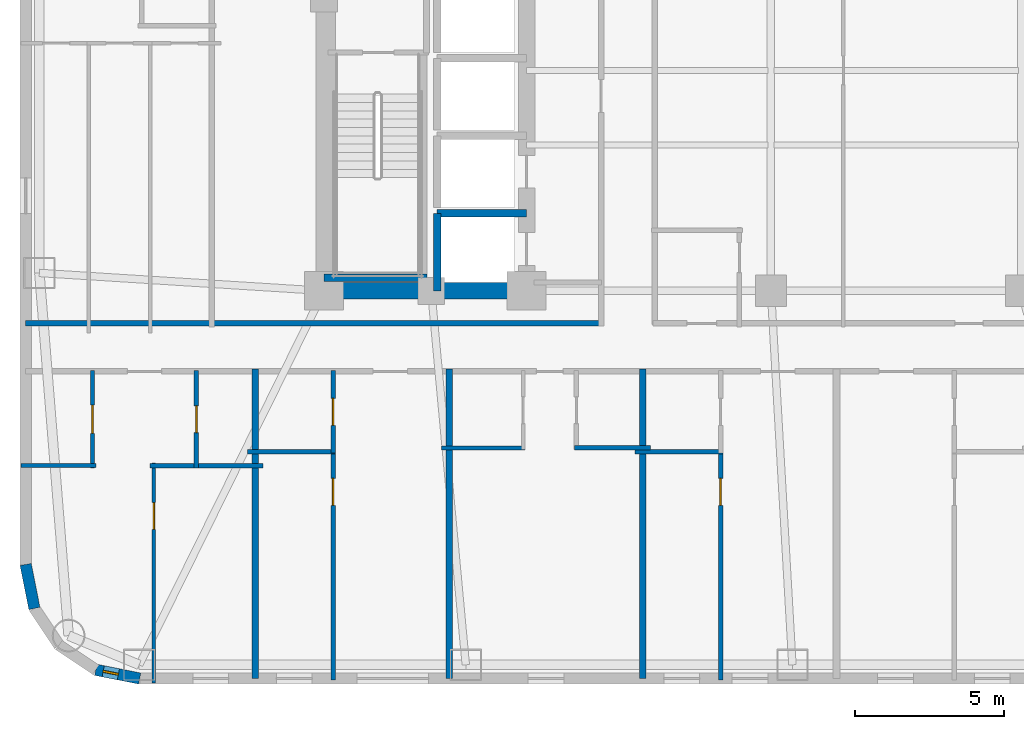
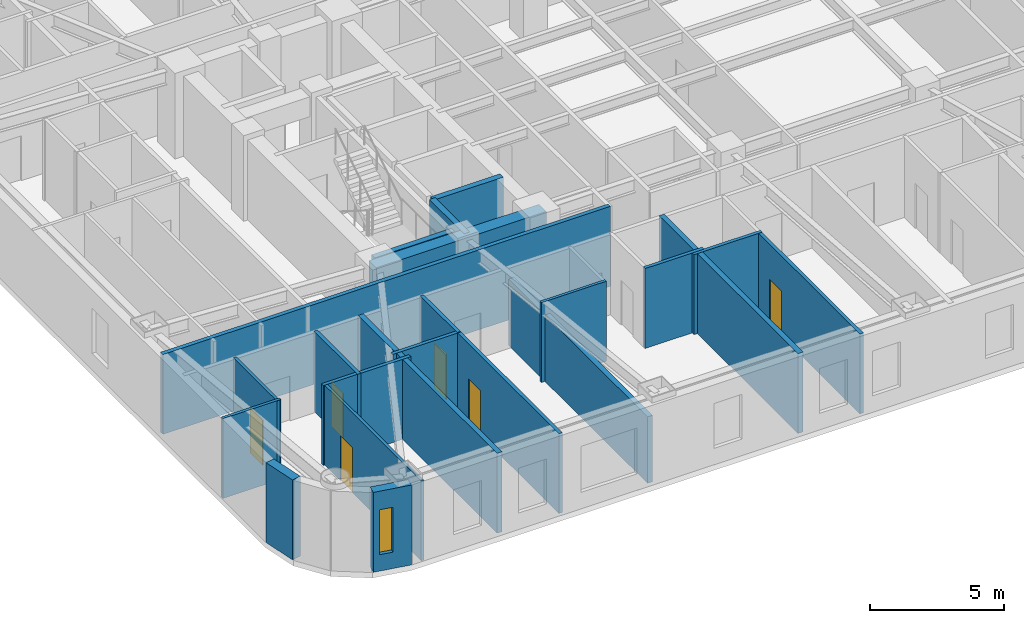
# One storey, part 3 of 12: 22 walls, 6 doors, 1 window, 7 openings.
"""IFC4 building model written with IfcOpenShell, lengths in metres."""

from ifc_helpers import new_model, si_unit, direction, frame, frame_2d, origin, place, context, subcontext, project, spatial, rectangle, extrude, material, layer, layer_set, type_object, element, fill, save


model = new_model("IFC4")

# Units and contexts
model_context = context("Model", 3, precision=1e-05, world=origin(), true_north=direction((0.0, 1.0)))
body_context = subcontext(model_context, "Body", "Model", "MODEL_VIEW")
ifc_project = project(units=[si_unit("LENGTHUNIT", "METRE"), si_unit("AREAUNIT", "SQUARE_METRE"), si_unit("VOLUMEUNIT", "CUBIC_METRE"), si_unit("PLANEANGLEUNIT", "RADIAN"), si_unit("MASSUNIT", "GRAM", prefix="KILO")], contexts=[model_context])

# Site, building, storey
site_placement = place(None, origin())
site = spatial("IfcSite", under=ifc_project, at=site_placement, CompositionType="ELEMENT")
building_placement = place(site_placement, origin())
building = spatial("IfcBuilding", under=site, at=building_placement, Name="Voryun Gate Residences", CompositionType="ELEMENT")
storey_placement = place(building_placement, frame((0.0, 0.0, 128.699951171875)))
storey = spatial("IfcBuildingStorey", under=building, at=storey_placement, Name="L31", CompositionType="ELEMENT", Elevation=128.699951171875)

# Walls
ifc_material_1 = material(Name="Concrete C60/75", Category="concrete")
ifc_layer_1 = layer(ifc_material_1, 0.550048828125, Name="CW_CORE_550")
ifc_layer_set_1 = layer_set([ifc_layer_1], Name="Concrete C60/75")
wall_type_1 = type_object("IfcWallType", Name="CW_CORE_550", PredefinedType="SHEAR", material=ifc_layer_set_1)
wall_1_placement = place(storey_placement, frame((-19.47509765625, -7.39990234375, 0.0), z_axis=(0.0, 0.0, 1.0), x_axis=(1.0, 0.0, 0.0)))
element("IfcWall", 1, at=wall_1_placement, inside=storey, type_object=wall_type_1, Name="L31 Core shear wall CW-L31-WS", PredefinedType="SHEAR", context=body_context, shape_type="SweptSolid", body=[
    extrude(rectangle(XDim=7.35009765625, YDim=0.550048828125, at=frame_2d((3.675048828125, 0.0))), origin(), (0.0, 0.0, 1.0), 3.650146484375),
])
ifc_material_2 = material(Name="Gypsum acoustic fireboard")
ifc_layer_2 = layer(ifc_material_2, 0.179931640625, Name="W_CORR_RATED_180")
ifc_layer_set_2 = layer_set([ifc_layer_2], Name="Gypsum acoustic fireboard")
wall_type_2 = type_object("IfcWallType", Name="W_CORR_RATED_180", PredefinedType="PARTITIONING", material=ifc_layer_set_2)
wall_2_placement = place(storey_placement, frame((-29.2099609375, -8.489990234375, 0.0), z_axis=(0.0, 0.0, 1.0), x_axis=(1.0, 0.0, 0.0)))
element("IfcWall", 2, at=wall_2_placement, inside=storey, type_object=wall_type_2, Name="Partition wall WP-L31-CWING-WS", PredefinedType="PARTITIONING", context=body_context, shape_type="SweptSolid", body=[
    extrude(rectangle(XDim=19.330078125, YDim=0.179931640625, at=frame_2d((9.6650390625, 0.0))), origin(), (0.0, 0.0, 1.0), 3.650146484375),
])

# Wall, opening, window
ifc_material_3 = material(Name="Granite masonry", Category="masonry")
ifc_layer_3 = layer(ifc_material_3, 0.3798828125, Name="W_EXT_GRANITE_380")
ifc_layer_set_3 = layer_set([ifc_layer_3], Name="Granite masonry")
wall_type_3 = type_object("IfcWallType", Name="W_EXT_GRANITE_380", PredefinedType="ELEMENTEDWALL", material=ifc_layer_set_3)
wall_3_placement = place(storey_placement, frame((-25.38134765625, -20.409912109375, 0.0), z_axis=(0.0, 0.0, 1.0), x_axis=(-0.980786132421, 0.195086038585, 0.0)))
wall_3 = element("IfcWall", 3, at=wall_3_placement, inside=storey, type_object=wall_type_3, Name="Exterior wall WEXT-L31-02", PredefinedType="ELEMENTEDWALL", context=body_context, shape_type="SweptSolid", body=[
    extrude(rectangle(XDim=1.504150390625, YDim=0.3798828125, at=frame_2d((0.751953125, 0.0))), origin(), (0.0, 0.0, 1.0), 3.650146484375),
])
opening_1_placement = place(wall_3_placement, frame((0.732177734375, 0.0, 0.75)))
opening_1 = element("IfcOpeningElement", 4, at=opening_1_placement, cuts=wall_3, Name="Opening WN10", PredefinedType="OPENING", context=body_context, shape_type="SweptSolid", body=[
    extrude(rectangle(XDim=0.52001953125, YDim=2.050048828125, at=frame_2d((0.260009765625, 1.02490234375))), frame((0.0, 0.199951171875, 0.0), z_axis=(0.0, -1.0, 0.0), x_axis=(1.0, 0.0, 0.0)), (0.0, 0.0, 1.0), 0.39990234375),
])
ifc_material_4 = material(Name="Laminated low-E glass", Category="glass")
window_type = type_object("IfcWindowType", Name="WN_PAGODA_LANCET_520", PartitioningType="SINGLE_PANEL", PredefinedType="WINDOW", material=ifc_material_4)
window_placement = place(opening_1_placement, origin())
window = element("IfcWindow", 5, at=window_placement, inside=storey, type_object=window_type, Name="Window WN-L31-DWFIX-14", OverallHeight=2.050048828125, OverallWidth=0.52001953125, PartitioningType="SINGLE_PANEL", PredefinedType="WINDOW", context=body_context, shape_type="SweptSolid", body=[
    extrude(rectangle(XDim=0.52001953125, YDim=2.050048828125, at=frame_2d((0.260009765625, 1.02490234375))), frame((0.0, 0.030029296875, 0.0), z_axis=(0.0, -1.0, 0.0), x_axis=(1.0, 0.0, 0.0)), (0.0, 0.0, 1.0), 0.06005859375),
])
fill(opening_1, window)

# Walls
wall_4_placement = place(storey_placement, frame((-28.91650390625, -18.056640625, 0.0), z_axis=(0.0, 0.0, 1.0), x_axis=(-0.195086038585, 0.980786132421, 0.0)))
element("IfcWall", 6, at=wall_4_placement, inside=storey, type_object=wall_type_3, Name="Exterior wall WEXT-L31-05", PredefinedType="ELEMENTEDWALL", context=body_context, shape_type="SweptSolid", body=[
    extrude(rectangle(XDim=1.504150390625, YDim=0.3798828125, at=frame_2d((0.751953125, 0.0))), origin(), (0.0, 0.0, 1.0), 3.650146484375),
])
ifc_material_5 = material(Name="Concrete C40/50", Category="concrete")
ifc_layer_4 = layer(ifc_material_5, 0.219970703125, Name="W_PARTY_ACOUSTIC_220")
ifc_layer_set_4 = layer_set([ifc_layer_4], Name="Concrete C40/50")
wall_type_4 = type_object("IfcWallType", Name="W_PARTY_ACOUSTIC_220", PredefinedType="PARTITIONING", material=ifc_layer_set_4)
wall_5_placement = place(storey_placement, frame((-21.5, -20.409912109375, 0.0), z_axis=(0.0, 0.0, 1.0), x_axis=(0.0, 1.0, 0.0)))
element("IfcWall", 7, at=wall_5_placement, inside=storey, type_object=wall_type_4, Name="Partition wall WP-L31-SPTY-1", PredefinedType="PARTITIONING", context=body_context, shape_type="SweptSolid", body=[
    extrude(rectangle(XDim=10.389892578125, YDim=0.219970703125, at=frame_2d((5.19482421875, 0.0))), origin(), (0.0, 0.0, 1.0), 3.650146484375),
])
wall_6_placement = place(storey_placement, frame((-15.0, -20.409912109375, 0.0), z_axis=(0.0, 0.0, 1.0), x_axis=(0.0, 1.0, 0.0)))
element("IfcWall", 8, at=wall_6_placement, inside=storey, type_object=wall_type_4, Name="Partition wall WP-L31-SPTY-2", PredefinedType="PARTITIONING", context=body_context, shape_type="SweptSolid", body=[
    extrude(rectangle(XDim=10.389892578125, YDim=0.219970703125, at=frame_2d((5.19482421875, 0.0))), origin(), (0.0, 0.0, 1.0), 3.0400390625),
])
wall_7_placement = place(storey_placement, frame((-8.5, -20.409912109375, 0.0), z_axis=(0.0, 0.0, 1.0), x_axis=(0.0, 1.0, 0.0)))
element("IfcWall", 9, at=wall_7_placement, inside=storey, type_object=wall_type_4, Name="Partition wall WP-L31-SPTY-3", PredefinedType="PARTITIONING", context=body_context, shape_type="SweptSolid", body=[
    extrude(rectangle(XDim=10.389892578125, YDim=0.219970703125, at=frame_2d((5.19482421875, 0.0))), origin(), (0.0, 0.0, 1.0), 3.650146484375),
])
ifc_material_6 = material(Name="Concrete C50/60", Category="concrete")
ifc_layer_5 = layer(ifc_material_6, 0.25, Name="W_SHAFT_RC250")
ifc_layer_set_5 = layer_set([ifc_layer_5], Name="Concrete C50/60")
wall_type_5 = type_object("IfcWallType", Name="W_SHAFT_RC250", PredefinedType="SOLIDWALL", material=ifc_layer_set_5)
wall_8_placement = place(storey_placement, frame((-19.199951171875, -6.965087890625, 0.0), z_axis=(0.0, 0.0, 1.0), x_axis=(1.0, 0.0, 0.0)))
element("IfcWall", 10, at=wall_8_placement, inside=storey, type_object=wall_type_5, Name="L31 Stair shaft structural wall W-STS", PredefinedType="SOLIDWALL", context=body_context, shape_type="SweptSolid", body=[
    extrude(rectangle(XDim=3.4599609375, YDim=0.25, at=frame_2d((1.72998046875, 0.0))), origin(), (0.0, 0.0, 1.0), 3.650146484375),
])
wall_9_placement = place(storey_placement, frame((-12.39990234375, -4.800048828125, 0.0), z_axis=(0.0, 0.0, 1.0), x_axis=(-1.0, 0.0, 0.0)))
element("IfcWall", 11, at=wall_9_placement, inside=storey, type_object=wall_type_5, Name="Lift shaft wall WSH-L31-EL-P1-N", PredefinedType="SOLIDWALL", context=body_context, shape_type="SweptSolid", body=[
    extrude(rectangle(XDim=3.0, YDim=0.25, at=frame_2d((1.5, 0.0))), origin(), (0.0, 0.0, 1.0), 3.650146484375),
])
wall_10_placement = place(storey_placement, frame((-15.39990234375, -4.800048828125, 0.0), z_axis=(0.0, 0.0, 1.0), x_axis=(0.0, -1.0, 0.0)))
element("IfcWall", 12, at=wall_10_placement, inside=storey, type_object=wall_type_5, Name="Lift shaft wall WSH-L31-EL-P1-W", PredefinedType="SOLIDWALL", context=body_context, shape_type="SweptSolid", body=[
    extrude(rectangle(XDim=2.599853515625, YDim=0.25, at=frame_2d((1.2998046875, 0.0))), origin(), (0.0, 0.0, 1.0), 3.650146484375),
])

# Wall, opening, door
ifc_material_7 = material(Name="Gypsum acoustic partition")
ifc_layer_6 = layer(ifc_material_7, 0.125, Name="W_UNIT_PART_125")
ifc_layer_set_6 = layer_set([ifc_layer_6], Name="Gypsum acoustic partition")
wall_type_6 = type_object("IfcWallType", Name="W_UNIT_PART_125", PredefinedType="PARTITIONING", material=ifc_layer_set_6)
wall_11_placement = place(storey_placement, frame((-24.909912109375, -20.56005859375, 0.0), z_axis=(0.0, 0.0, 1.0), x_axis=(0.0, 1.0, 0.0)))
wall_11 = element("IfcWall", 13, at=wall_11_placement, inside=storey, type_object=wall_type_6, Name="Partition wall WP-L31-S1-OVR", PredefinedType="PARTITIONING", context=body_context, shape_type="SweptSolid", body=[
    extrude(rectangle(XDim=7.379150390625, YDim=0.125, at=frame_2d((3.689453125, 0.0))), origin(), (0.0, 0.0, 1.0), 3.650146484375),
])
opening_2_placement = place(wall_11_placement, frame((5.157958984375, 0.0, 0.0)))
opening_2 = element("IfcOpeningElement", 14, at=opening_2_placement, cuts=wall_11, Name="Opening D-INT-2", PredefinedType="OPENING", context=body_context, shape_type="SweptSolid", body=[
    extrude(rectangle(XDim=0.89990234375, YDim=2.050048828125, at=frame_2d((0.449951171875, 1.02490234375))), frame((0.0, 0.072509765625, 0.0), z_axis=(0.0, -1.0, 0.0), x_axis=(1.0, 0.0, 0.0)), (0.0, 0.0, 1.0), 0.14501953125),
])
ifc_material_8 = material(Name="Architectural oak veneer")
door_type_1 = type_object("IfcDoorType", Name="DR_INT_BATH_900", OperationType="NOTDEFINED", PredefinedType="DOOR", material=ifc_material_8)
door_1_placement = place(opening_2_placement, origin())
door_1 = element("IfcDoor", 15, at=door_1_placement, inside=storey, type_object=door_type_1, Name="Door DR-L31-S1-DMB", OperationType="SINGLE_SWING_RIGHT", OverallHeight=2.050048828125, OverallWidth=0.89990234375, PredefinedType="DOOR", context=body_context, shape_type="SweptSolid", body=[
    extrude(rectangle(XDim=0.89990234375, YDim=2.050048828125, at=frame_2d((0.449951171875, 1.02490234375))), frame((0.0, 0.02490234375, 0.0), z_axis=(0.0, -1.0, 0.0), x_axis=(1.0, 0.0, 0.0)), (0.0, 0.0, 1.0), 0.050048828125),
])
fill(opening_2, door_1)

wall_12_placement = place(storey_placement, frame((-26.968017578125, -13.341064453125, 0.0), z_axis=(0.0, 0.0, 1.0), x_axis=(0.0, 1.0, 0.0)))
wall_12 = element("IfcWall", 16, at=wall_12_placement, inside=storey, type_object=wall_type_6, Name="Partition wall WP-L31-S1-IVK", PredefinedType="PARTITIONING", context=body_context, shape_type="SweptSolid", body=[
    extrude(rectangle(XDim=3.260986328125, YDim=0.125, at=frame_2d((1.63037109375, 0.0))), origin(), (0.0, 0.0, 1.0), 3.650146484375),
])
opening_3_placement = place(wall_12_placement, frame((1.155517578125, 0.0, 0.0)))
opening_3 = element("IfcOpeningElement", 17, at=opening_3_placement, cuts=wall_12, Name="Opening D-INT-1", PredefinedType="OPENING", context=body_context, shape_type="SweptSolid", body=[
    extrude(rectangle(XDim=0.949951171875, YDim=2.050048828125, at=frame_2d((0.47509765625, 1.02490234375))), frame((0.0, 0.072509765625, 0.0), z_axis=(0.0, -1.0, 0.0), x_axis=(1.0, 0.0, 0.0)), (0.0, 0.0, 1.0), 0.14501953125),
])
ifc_material_9 = material(Name="Architectural oak veneer")
door_type_2 = type_object("IfcDoorType", Name="DR_INT_ROOM_950", OperationType="NOTDEFINED", PredefinedType="DOOR", material=ifc_material_9)
door_2_placement = place(opening_3_placement, origin())
door_2 = element("IfcDoor", 18, at=door_2_placement, inside=storey, type_object=door_type_2, Name="Door DR-L31-S1-DK", OperationType="SINGLE_SWING_LEFT", OverallHeight=2.050048828125, OverallWidth=0.949951171875, PredefinedType="DOOR", context=body_context, shape_type="SweptSolid", body=[
    extrude(rectangle(XDim=0.949951171875, YDim=2.050048828125, at=frame_2d((0.47509765625, 1.02490234375))), frame((0.0, 0.02490234375, 0.0), z_axis=(0.0, -1.0, 0.0), x_axis=(1.0, 0.0, 0.0)), (0.0, 0.0, 1.0), 0.050048828125),
])
fill(opening_3, door_2)

# Walls
wall_13_placement = place(storey_placement, frame((-29.360107421875, -13.260986328125, 0.0), z_axis=(0.0, 0.0, 1.0), x_axis=(1.0, 0.0, 0.0)))
element("IfcWall", 19, at=wall_13_placement, inside=storey, type_object=wall_type_6, Name="Partition wall WP-L31-S1-HZK", PredefinedType="PARTITIONING", context=body_context, shape_type="SweptSolid", body=[
    extrude(rectangle(XDim=2.51220703125, YDim=0.125, at=frame_2d((1.256103515625, 0.0))), origin(), (0.0, 0.0, 1.0), 3.650146484375),
])
wall_14_placement = place(storey_placement, frame((-15.260009765625, -12.669921875, 0.0), z_axis=(0.0, 0.0, 1.0), x_axis=(1.0, 0.0, 0.0)))
element("IfcWall", 20, at=wall_14_placement, inside=storey, type_object=wall_type_6, Name="Partition wall WP-L31-S3-CHK", PredefinedType="PARTITIONING", context=body_context, shape_type="SweptSolid", body=[
    extrude(rectangle(XDim=2.803955078125, YDim=0.125, at=frame_2d((1.40185546875, 0.0))), origin(), (0.0, 0.0, 1.0), 3.650146484375),
])
ifc_material_10 = material(Name="Gypsum moisture-resistant partition")
ifc_layer_7 = layer(ifc_material_10, 0.14990234375, Name="W_WET_PLUMB_150")
ifc_layer_set_7 = layer_set([ifc_layer_7], Name="Gypsum moisture-resistant partition")
wall_type_7 = type_object("IfcWallType", Name="W_WET_PLUMB_150", PredefinedType="PLUMBINGWALL", material=ifc_layer_set_7)
wall_15_placement = place(storey_placement, frame((-25.030029296875, -13.260986328125, 0.0), z_axis=(0.0, 0.0, 1.0), x_axis=(1.0, 0.0, 0.0)))
element("IfcWall", 21, at=wall_15_placement, inside=storey, type_object=wall_type_7, Name="Partition wall WP-L31-S1-HZB", PredefinedType="PLUMBINGWALL", context=body_context, shape_type="SweptSolid", body=[
    extrude(rectangle(XDim=3.7900390625, YDim=0.14990234375, at=frame_2d((1.89501953125, 0.0))), origin(), (0.0, 0.0, 1.0), 3.650146484375),
])

# Wall, opening, door
wall_16_placement = place(storey_placement, frame((-23.47998046875, -13.341064453125, 0.0), z_axis=(0.0, 0.0, 1.0), x_axis=(0.0, 1.0, 0.0)))
wall_16 = element("IfcWall", 22, at=wall_16_placement, inside=storey, type_object=wall_type_7, Name="Partition wall WP-L31-S1-IVB", PredefinedType="PLUMBINGWALL", context=body_context, shape_type="SweptSolid", body=[
    extrude(rectangle(XDim=3.260986328125, YDim=0.14990234375, at=frame_2d((1.63037109375, 0.0))), origin(), (0.0, 0.0, 1.0), 3.650146484375),
])
opening_4_placement = place(wall_16_placement, frame((1.180419921875, 0.0, 0.0)))
opening_4 = element("IfcOpeningElement", 23, at=opening_4_placement, cuts=wall_16, Name="Opening D-INT-2", PredefinedType="OPENING", context=body_context, shape_type="SweptSolid", body=[
    extrude(rectangle(XDim=0.89990234375, YDim=2.050048828125, at=frame_2d((0.449951171875, 1.02490234375))), frame((0.0, 0.0849609375, 0.0), z_axis=(0.0, -1.0, 0.0), x_axis=(1.0, 0.0, 0.0)), (0.0, 0.0, 1.0), 0.169921875),
])
door_3_placement = place(opening_4_placement, origin())
door_3 = element("IfcDoor", 24, at=door_3_placement, inside=storey, type_object=door_type_1, Name="Door DR-L31-S1-DB", OperationType="SINGLE_SWING_RIGHT", OverallHeight=2.050048828125, OverallWidth=0.89990234375, PredefinedType="DOOR", context=body_context, shape_type="SweptSolid", body=[
    extrude(rectangle(XDim=0.89990234375, YDim=2.050048828125, at=frame_2d((0.449951171875, 1.02490234375))), frame((0.0, 0.02490234375, 0.0), z_axis=(0.0, -1.0, 0.0), x_axis=(1.0, 0.0, 0.0)), (0.0, 0.0, 1.0), 0.050048828125),
])
fill(opening_4, door_3)

# Wall
wall_17_placement = place(storey_placement, frame((-21.760009765625, -12.800048828125, 0.0), z_axis=(0.0, 0.0, 1.0), x_axis=(1.0, 0.0, 0.0)))
element("IfcWall", 25, at=wall_17_placement, inside=storey, type_object=wall_type_7, Name="Partition wall WP-L31-S2-SKB", PredefinedType="PLUMBINGWALL", context=body_context, shape_type="SweptSolid", body=[
    extrude(rectangle(XDim=2.949951171875, YDim=0.14990234375, at=frame_2d((1.47509765625, 0.0))), origin(), (0.0, 0.0, 1.0), 3.650146484375),
])

# Wall, opening, door
wall_18_placement = place(storey_placement, frame((-18.889892578125, -20.45751953125, 0.0), z_axis=(0.0, 0.0, 1.0), x_axis=(0.0, 1.0, 0.0)))
wall_18 = element("IfcWall", 26, at=wall_18_placement, inside=storey, type_object=wall_type_7, Name="Partition wall WP-L31-S2-SVT1", PredefinedType="PLUMBINGWALL", context=body_context, shape_type="SweptSolid", body=[
    extrude(rectangle(XDim=7.697509765625, YDim=0.14990234375, at=frame_2d((3.8486328125, 0.0))), origin(), (0.0, 0.0, 1.0), 3.650146484375),
])
opening_5_placement = place(wall_18_placement, frame((5.862060546875, 0.0, 0.0)))
opening_5 = element("IfcOpeningElement", 27, at=opening_5_placement, cuts=wall_18, Name="Opening D-INT-2", PredefinedType="OPENING", context=body_context, shape_type="SweptSolid", body=[
    extrude(rectangle(XDim=0.89990234375, YDim=2.050048828125, at=frame_2d((0.449951171875, 1.02490234375))), frame((0.0, 0.0849609375, 0.0), z_axis=(0.0, -1.0, 0.0), x_axis=(1.0, 0.0, 0.0)), (0.0, 0.0, 1.0), 0.169921875),
])
door_4_placement = place(opening_5_placement, origin())
door_4 = element("IfcDoor", 28, at=door_4_placement, inside=storey, type_object=door_type_1, Name="Door DR-L31-S2-DK", OperationType="SINGLE_SWING_LEFT", OverallHeight=2.050048828125, OverallWidth=0.89990234375, PredefinedType="DOOR", context=body_context, shape_type="SweptSolid", body=[
    extrude(rectangle(XDim=0.89990234375, YDim=2.050048828125, at=frame_2d((0.449951171875, 1.02490234375))), frame((0.0, 0.02490234375, 0.0), z_axis=(0.0, -1.0, 0.0), x_axis=(1.0, 0.0, 0.0)), (0.0, 0.0, 1.0), 0.050048828125),
])
fill(opening_5, door_4)

wall_19_placement = place(storey_placement, frame((-18.889892578125, -12.840087890625, 0.0), z_axis=(0.0, 0.0, 1.0), x_axis=(0.0, 1.0, 0.0)))
wall_19 = element("IfcWall", 29, at=wall_19_placement, inside=storey, type_object=wall_type_7, Name="Partition wall WP-L31-S2-SVT2", PredefinedType="PLUMBINGWALL", context=body_context, shape_type="SweptSolid", body=[
    extrude(rectangle(XDim=2.760009765625, YDim=0.14990234375, at=frame_2d((1.3798828125, 0.0))), origin(), (0.0, 0.0, 1.0), 3.650146484375),
])
opening_6_placement = place(wall_19_placement, frame((0.929931640625, 0.0, 0.0)))
opening_6 = element("IfcOpeningElement", 30, at=opening_6_placement, cuts=wall_19, Name="Opening D-INT-2", PredefinedType="OPENING", context=body_context, shape_type="SweptSolid", body=[
    extrude(rectangle(XDim=0.89990234375, YDim=2.050048828125, at=frame_2d((0.449951171875, 1.02490234375))), frame((0.0, 0.0849609375, 0.0), z_axis=(0.0, -1.0, 0.0), x_axis=(1.0, 0.0, 0.0)), (0.0, 0.0, 1.0), 0.169921875),
])
door_5_placement = place(opening_6_placement, origin())
door_5 = element("IfcDoor", 31, at=door_5_placement, inside=storey, type_object=door_type_1, Name="Door DR-L31-S2-DB", OperationType="SINGLE_SWING_RIGHT", OverallHeight=2.050048828125, OverallWidth=0.89990234375, PredefinedType="DOOR", context=body_context, shape_type="SweptSolid", body=[
    extrude(rectangle(XDim=0.89990234375, YDim=2.050048828125, at=frame_2d((0.449951171875, 1.02490234375))), frame((0.0, 0.02490234375, 0.0), z_axis=(0.0, -1.0, 0.0), x_axis=(1.0, 0.0, 0.0)), (0.0, 0.0, 1.0), 0.050048828125),
])
fill(opening_6, door_5)

# Walls
wall_20_placement = place(storey_placement, frame((-10.7890625, -12.669921875, 0.0), z_axis=(0.0, 0.0, 1.0), x_axis=(1.0, 0.0, 0.0)))
element("IfcWall", 32, at=wall_20_placement, inside=storey, type_object=wall_type_7, Name="Partition wall WP-L31-S3-CHB", PredefinedType="PLUMBINGWALL", context=body_context, shape_type="SweptSolid", body=[
    extrude(rectangle(XDim=2.549072265625, YDim=0.14990234375, at=frame_2d((1.2744140625, 0.0))), origin(), (0.0, 0.0, 1.0), 3.650146484375),
])
wall_21_placement = place(storey_placement, frame((-8.760009765625, -12.800048828125, 0.0), z_axis=(0.0, 0.0, 1.0), x_axis=(1.0, 0.0, 0.0)))
element("IfcWall", 33, at=wall_21_placement, inside=storey, type_object=wall_type_7, Name="Partition wall WP-L31-S4-SKB", PredefinedType="PLUMBINGWALL", context=body_context, shape_type="SweptSolid", body=[
    extrude(rectangle(XDim=2.949951171875, YDim=0.14990234375, at=frame_2d((1.47509765625, 0.0))), origin(), (0.0, 0.0, 1.0), 3.650146484375),
])

# Wall, opening, door
wall_22_placement = place(storey_placement, frame((-5.889892578125, -20.45751953125, 0.0), z_axis=(0.0, 0.0, 1.0), x_axis=(0.0, 1.0, 0.0)))
wall_22 = element("IfcWall", 34, at=wall_22_placement, inside=storey, type_object=wall_type_7, Name="Partition wall WP-L31-S4-SVT1", PredefinedType="PLUMBINGWALL", context=body_context, shape_type="SweptSolid", body=[
    extrude(rectangle(XDim=7.697509765625, YDim=0.14990234375, at=frame_2d((3.8486328125, 0.0))), origin(), (0.0, 0.0, 1.0), 3.650146484375),
])
opening_7_placement = place(wall_22_placement, frame((5.862060546875, 0.0, 0.0)))
opening_7 = element("IfcOpeningElement", 35, at=opening_7_placement, cuts=wall_22, Name="Opening D-INT-2", PredefinedType="OPENING", context=body_context, shape_type="SweptSolid", body=[
    extrude(rectangle(XDim=0.89990234375, YDim=2.050048828125, at=frame_2d((0.449951171875, 1.02490234375))), frame((0.0, 0.0849609375, 0.0), z_axis=(0.0, -1.0, 0.0), x_axis=(1.0, 0.0, 0.0)), (0.0, 0.0, 1.0), 0.169921875),
])
door_6_placement = place(opening_7_placement, origin())
door_6 = element("IfcDoor", 36, at=door_6_placement, inside=storey, type_object=door_type_1, Name="Door DR-L31-S4-DK", OperationType="SINGLE_SWING_LEFT", OverallHeight=2.050048828125, OverallWidth=0.89990234375, PredefinedType="DOOR", context=body_context, shape_type="SweptSolid", body=[
    extrude(rectangle(XDim=0.89990234375, YDim=2.050048828125, at=frame_2d((0.449951171875, 1.02490234375))), frame((0.0, 0.02490234375, 0.0), z_axis=(0.0, -1.0, 0.0), x_axis=(1.0, 0.0, 0.0)), (0.0, 0.0, 1.0), 0.050048828125),
])
fill(opening_7, door_6)

save(model, "model.ifc")
